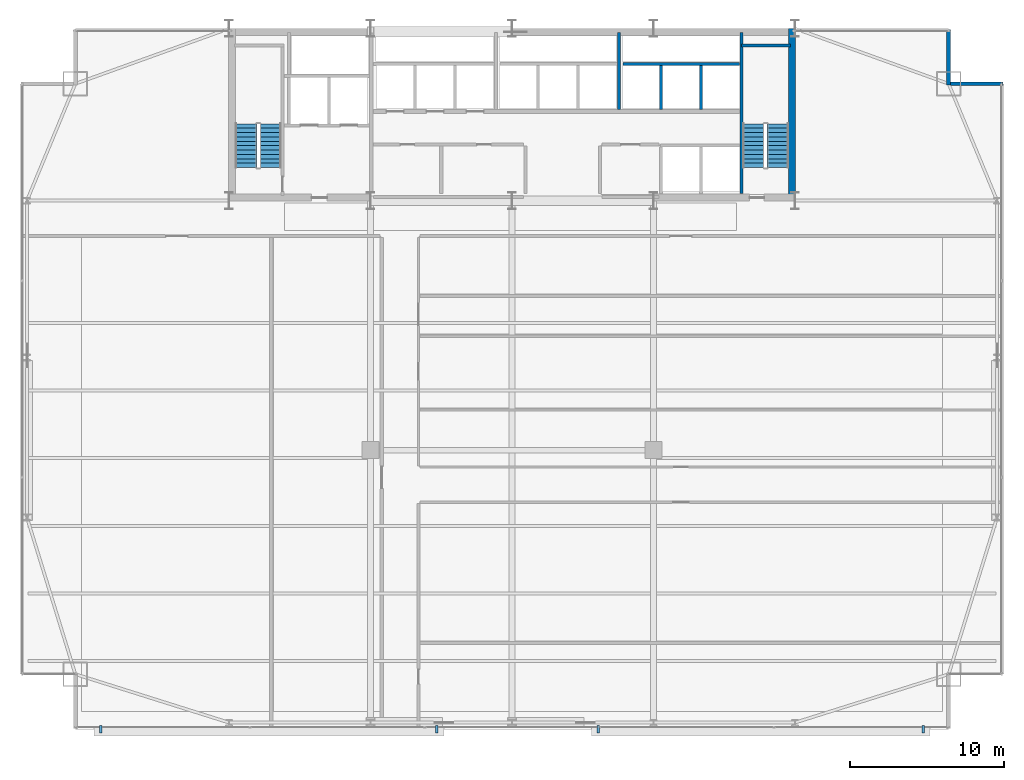
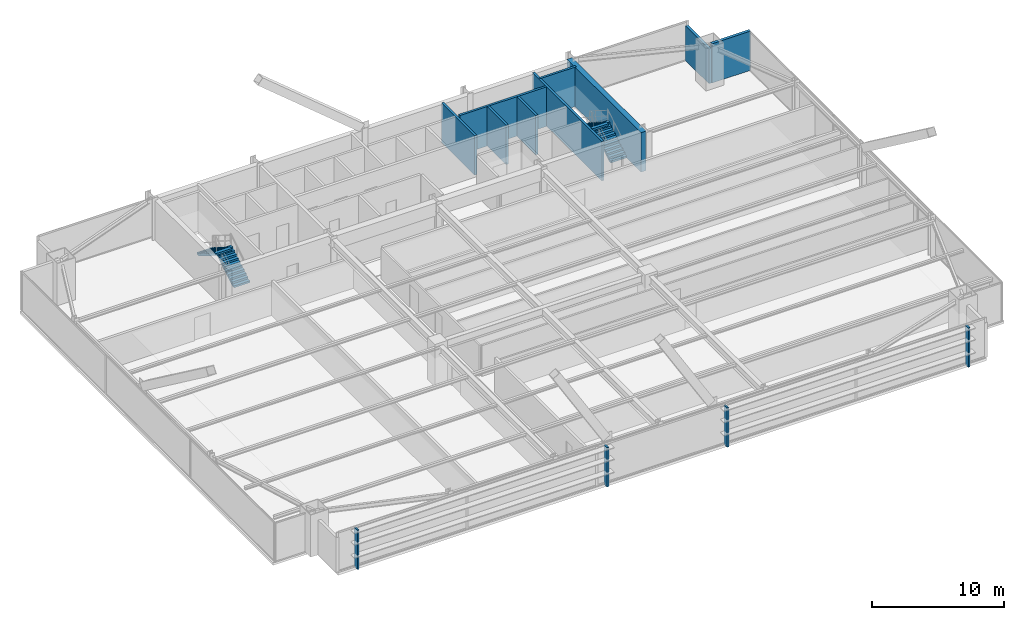
# One storey, part 33 of 35: 9 walls, 4 discrete accessories, 4 stair flights, 2 elements without a shape of their own.
"""IFC4 building model written with IfcOpenShell, lengths in metres."""

from ifc_helpers import new_model, si_unit, direction, frame, frame_2d, origin, origin_2d, place, context, subcontext, project, spatial, polyline, rectangle, outline, extrude, source, transform, mapped, material, layer, layer_set, type_object, type_shapes, element, aggregate, save


model = new_model("IFC4")

# Units and contexts
model_context = context("Model", 3, precision=1e-05, world=origin(), true_north=direction((0.0, 1.0)))
body_context = subcontext(model_context, "Body", "Model", "MODEL_VIEW")
ifc_project = project(units=[si_unit("LENGTHUNIT", "METRE"), si_unit("AREAUNIT", "SQUARE_METRE"), si_unit("VOLUMEUNIT", "CUBIC_METRE"), si_unit("PLANEANGLEUNIT", "RADIAN"), si_unit("MASSUNIT", "GRAM", prefix="KILO")], contexts=[model_context])

# Site, building, storey
site_placement = place(None, origin())
site = spatial("IfcSite", under=ifc_project, at=site_placement, CompositionType="ELEMENT")
building_placement = place(site_placement, origin())
building = spatial("IfcBuilding", under=site, at=building_placement, Name="Varnel Quay Broadcast Tower", CompositionType="ELEMENT")
storey_placement = place(building_placement, frame((0.0, 0.0, 31.5)))
storey = spatial("IfcBuildingStorey", under=building, at=storey_placement, Name="L06", CompositionType="ELEMENT", Elevation=31.5)

# Walls
ifc_material_1 = material(Name="Concrete CSA A23.3 C50/60", Category="concrete")
ifc_layer_1 = layer(ifc_material_1, 0.199951171875, Name="Concrete CSA A23.3 C50/60")
ifc_layer_set_1 = layer_set([ifc_layer_1], Name="Concrete CSA A23.3 C50/60")
wall_type_1 = type_object("IfcWallType", Name="Wall_CoreShaftShear200", PredefinedType="SHEAR", material=ifc_layer_set_1)
wall_1_placement = place(storey_placement, frame((48.919921875, 36.050048828125, 0.0), z_axis=(0.0, 0.0, 1.0), x_axis=(0.0, 1.0, 0.0)))
element("IfcWall", 1, at=wall_1_placement, inside=storey, type_object=wall_type_1, Name="L06 Stair 2 West Structural Wall", PredefinedType="SHEAR", context=body_context, shape_type="SweptSolid", body=[
    extrude(rectangle(XDim=10.5, YDim=0.199951171875, at=frame_2d((5.25, 0.0))), origin(), (0.0, 0.0, 1.0), 3.64990234375),
])
wall_2_placement = place(storey_placement, frame((48.919921875, 45.679931640625, 0.0), z_axis=(0.0, 0.0, 1.0), x_axis=(1.0, 0.0, 0.0)))
element("IfcWall", 2, at=wall_2_placement, inside=storey, type_object=wall_type_1, Name="L06 Stair 2 North Structural Wall", PredefinedType="SHEAR", context=body_context, shape_type="SweptSolid", body=[
    extrude(rectangle(XDim=3.18017578125, YDim=0.199951171875, at=frame_2d((1.590087890625, 0.0))), origin(), (0.0, 0.0, 1.0), 3.64990234375),
])
wall_3_placement = place(storey_placement, frame((40.949951171875, 41.530029296875, 0.0), z_axis=(0.0, 0.0, 1.0), x_axis=(0.0, 1.0, 0.0)))
element("IfcWall", 3, at=wall_3_placement, inside=storey, type_object=wall_type_1, Name="L06 Mid-Rise Lift Shaft Divider 4", PredefinedType="SHEAR", context=body_context, shape_type="SweptSolid", body=[
    extrude(rectangle(XDim=5.02001953125, YDim=0.199951171875, at=frame_2d((2.510009765625, 0.0))), origin(), (0.0, 0.0, 1.0), 3.64990234375),
])
wall_4_placement = place(storey_placement, frame((41.219970703125, 44.5, 0.0), z_axis=(0.0, 0.0, 1.0), x_axis=(1.0, 0.0, 0.0)))
element("IfcWall", 4, at=wall_4_placement, inside=storey, type_object=wall_type_1, Name="L06 High-Rise Lift Shaft Rear Wall", PredefinedType="SHEAR", context=body_context, shape_type="SweptSolid", body=[
    extrude(rectangle(XDim=7.580078125, YDim=0.199951171875, at=frame_2d((3.7900390625, 0.0))), origin(), (0.0, 0.0, 1.0), 3.64990234375),
])
for number, where, z_axis, x_axis, name in (
    (5, (43.699951171875, 41.530029296875, 0.0), (0.0, 0.0, 1.0), (0.0, 1.0, 0.0), "L06 High-Rise Lift Shaft Divider 2"),
    (6, (46.300048828125, 41.530029296875, 0.0), (0.0, 0.0, 1.0), (0.0, 1.0, 0.0), "L06 High-Rise Lift Shaft Divider 3"),
):
    element("IfcWall", number, at=place(storey_placement, frame(where, z_axis=z_axis, x_axis=x_axis)), inside=storey, type_object=wall_type_1, Name=name, PredefinedType="SHEAR", context=body_context, shape_type="SweptSolid", body=[
        extrude(rectangle(XDim=2.869873046875, YDim=0.199951171875, at=frame_2d((1.43505859375, 0.0))), origin(), (0.0, 0.0, 1.0), 3.64990234375),
    ])
ifc_material_2 = material(Name="Concrete CSA A23.3 C60/75", Category="concrete")
ifc_layer_2 = layer(ifc_material_2, 0.449951171875, Name="Concrete CSA A23.3 C60/75")
ifc_layer_set_2 = layer_set([ifc_layer_2], Name="Concrete CSA A23.3 C60/75")
wall_type_2 = type_object("IfcWallType", Name="Wall_CoreShearInt450", PredefinedType="SHEAR", material=ifc_layer_set_2)
wall_5_placement = place(storey_placement, frame((52.205078125, 35.570068359375, 0.0), z_axis=(0.0, 0.0, 1.0), x_axis=(0.0, 1.0, 0.0)))
element("IfcWall", 7, at=wall_5_placement, inside=storey, type_object=wall_type_2, Name="L06 East Core Shear Wall", PredefinedType="SHEAR", context=body_context, shape_type="SweptSolid", body=[
    extrude(rectangle(XDim=11.22998046875, YDim=0.449951171875, at=frame_2d((5.614990234375, 0.0))), origin(), (0.0, 0.0, 1.0), 3.64990234375),
])
ifc_material_3 = material(Name="Precast Architectural Concrete C40/50", Category="concrete")
ifc_layer_3 = layer(ifc_material_3, 0.25, Name="Precast Architectural Concrete C40/50")
ifc_layer_set_3 = layer_set([ifc_layer_3], Name="Precast Architectural Concrete C40/50")
wall_type_3 = type_object("IfcWallType", Name="Wall_ExtTerrace250", PredefinedType="SOLIDWALL", material=ifc_layer_set_3)
wall_6_placement = place(storey_placement, frame((62.530029296875, 43.199951171875, 0.0), z_axis=(0.0, 0.0, 1.0), x_axis=(1.0, 0.0, 0.0)))
element("IfcWall", 8, at=wall_6_placement, inside=storey, type_object=wall_type_3, Name="L06 Mega-Column Notch Cladding Wall NNE1", PredefinedType="SOLIDWALL", context=body_context, shape_type="SweptSolid", body=[
    extrude(rectangle(XDim=3.389892578125, YDim=0.25, at=frame_2d((1.69482421875, 0.0))), origin(), (0.0, 0.0, 1.0), 3.6298828125),
])
wall_7_placement = place(storey_placement, frame((62.39990234375, 43.1201171875, 0.0), z_axis=(0.0, 0.0, 1.0), x_axis=(0.0, 1.0, 0.0)))
element("IfcWall", 9, at=wall_7_placement, inside=storey, type_object=wall_type_3, Name="L06 Mega-Column Notch Cladding Wall NNE2", PredefinedType="SOLIDWALL", context=body_context, shape_type="SweptSolid", body=[
    extrude(rectangle(XDim=3.599853515625, YDim=0.25, at=frame_2d((1.7998046875, 0.0))), origin(), (0.0, 0.0, 1.0), 3.2080078125),
])

# Stair, stair flights
ifc_material_4 = material(Name="Precast Structural Concrete C40/50", Category="concrete")
stair_type_1 = type_object("IfcStairType", Name="Stair_ST-01", PredefinedType="HALF_TURN_STAIR", material=ifc_material_4)
stair_1_placement = place(storey_placement, origin())
stair_1 = element("IfcStair", 10, at=stair_1_placement, inside=storey, type_object=stair_type_1, Name="L06 West Core Exit Stair 1", PredefinedType="HALF_TURN_STAIR")
stair_flight_type_1 = type_object("IfcStairFlightType", Name="Flight_ST-01", PredefinedType="STRAIGHT", material=ifc_material_4)
stair_flight_1_placement = place(storey_placement, frame((18.300048828125, 37.75, 0.0), z_axis=(0.0, 0.0, 1.0), x_axis=(0.0, 1.0, 0.0)))
stair_flight_1 = element("IfcStairFlight", 11, at=stair_flight_1_placement, type_object=stair_flight_type_1, Name="ST-01 flight 1", NumberOfRisers=11, NumberOfTreads=10, PredefinedType="STRAIGHT", RiserHeight=0.177272727, TreadLength=0.285, context=body_context, shape_type="SweptSolid", body=[
    extrude(outline(polyline([(0.0, 0.0), (0.0, 0.17724609375), (0.284912109375, 0.17724609375), (0.284912109375, 0.3544921875), (0.570068359375, 0.3544921875), (0.570068359375, 0.53173828125), (0.85498046875, 0.53173828125), (0.85498046875, 0.708984375), (1.139892578125, 0.708984375), (1.139892578125, 0.886474609375), (1.425048828125, 0.886474609375), (1.425048828125, 1.063720703125), (1.7099609375, 1.063720703125), (1.7099609375, 1.240966796875), (1.9951171875, 1.240966796875), (1.9951171875, 1.418212890625), (2.280029296875, 1.418212890625), (2.280029296875, 1.595458984375), (2.56494140625, 1.595458984375), (2.56494140625, 1.772705078125), (2.85009765625, 1.772705078125), (2.85009765625, 1.949951171875), (2.85009765625, 1.59619140625), (0.283935546875, 0.0), (0.0, 0.0)])), frame((0.0, 0.699951171875, 0.0), z_axis=(0.0, -1.0, 0.0), x_axis=(1.0, 0.0, 0.0)), (0.0, 0.0, 1.0), 1.39990234375),
])
stair_flight_2_placement = place(storey_placement, frame((16.699951171875, 40.60009765625, 1.949951171875), z_axis=(0.0, 0.0, 1.0), x_axis=(0.0, -1.0, 0.0)))
stair_flight_2 = element("IfcStairFlight", 12, at=stair_flight_2_placement, type_object=stair_flight_type_1, Name="ST-01 flight 2", NumberOfRisers=11, NumberOfTreads=10, PredefinedType="STRAIGHT", RiserHeight=0.177272727, TreadLength=0.285, context=body_context, shape_type="SweptSolid", body=[
    extrude(outline(polyline([(0.0, 0.0), (0.0, 0.17724609375), (0.284912109375, 0.17724609375), (0.284912109375, 0.3544921875), (0.570068359375, 0.3544921875), (0.570068359375, 0.53173828125), (0.85498046875, 0.53173828125), (0.85498046875, 0.708984375), (1.139892578125, 0.708984375), (1.139892578125, 0.886474609375), (1.425048828125, 0.886474609375), (1.425048828125, 1.063720703125), (1.7099609375, 1.063720703125), (1.7099609375, 1.240966796875), (1.9951171875, 1.240966796875), (1.9951171875, 1.418212890625), (2.280029296875, 1.418212890625), (2.280029296875, 1.595458984375), (2.56494140625, 1.595458984375), (2.56494140625, 1.772705078125), (2.85009765625, 1.772705078125), (2.85009765625, 1.949951171875), (2.85009765625, 1.59619140625), (0.283935546875, 0.0), (0.0, 0.0)])), frame((0.0, 0.699951171875, 0.0), z_axis=(0.0, -1.0, 0.0), x_axis=(1.0, 0.0, 0.0)), (0.0, 0.0, 1.0), 1.39990234375),
])
aggregate(stair_1, [stair_flight_1, stair_flight_2])

stair_type_2 = type_object("IfcStairType", Name="Stair_ST-02", PredefinedType="HALF_TURN_STAIR", material=ifc_material_4)
stair_2_placement = place(storey_placement, origin())
stair_2 = element("IfcStair", 13, at=stair_2_placement, inside=storey, type_object=stair_type_2, Name="L06 East Core Exit Stair 2", PredefinedType="HALF_TURN_STAIR")
stair_flight_type_2 = type_object("IfcStairFlightType", Name="Flight_ST-02", PredefinedType="STRAIGHT", material=ifc_material_4)
stair_flight_3_placement = place(storey_placement, frame((51.300048828125, 37.75, 0.0), z_axis=(0.0, 0.0, 1.0), x_axis=(0.0, 1.0, 0.0)))
stair_flight_3 = element("IfcStairFlight", 14, at=stair_flight_3_placement, type_object=stair_flight_type_2, Name="ST-02 flight 1", NumberOfRisers=11, NumberOfTreads=10, PredefinedType="STRAIGHT", RiserHeight=0.177272727, TreadLength=0.285, context=body_context, shape_type="SweptSolid", body=[
    extrude(outline(polyline([(0.0, 0.0), (0.0, 0.17724609375), (0.284912109375, 0.17724609375), (0.284912109375, 0.3544921875), (0.570068359375, 0.3544921875), (0.570068359375, 0.53173828125), (0.85498046875, 0.53173828125), (0.85498046875, 0.708984375), (1.139892578125, 0.708984375), (1.139892578125, 0.886474609375), (1.425048828125, 0.886474609375), (1.425048828125, 1.063720703125), (1.7099609375, 1.063720703125), (1.7099609375, 1.240966796875), (1.9951171875, 1.240966796875), (1.9951171875, 1.418212890625), (2.280029296875, 1.418212890625), (2.280029296875, 1.595458984375), (2.56494140625, 1.595458984375), (2.56494140625, 1.772705078125), (2.85009765625, 1.772705078125), (2.85009765625, 1.949951171875), (2.85009765625, 1.59619140625), (0.283935546875, 0.0), (0.0, 0.0)])), frame((0.0, 0.699951171875, 0.0), z_axis=(0.0, -1.0, 0.0), x_axis=(1.0, 0.0, 0.0)), (0.0, 0.0, 1.0), 1.39990234375),
])
stair_flight_4_placement = place(storey_placement, frame((49.699951171875, 40.60009765625, 1.949951171875), z_axis=(0.0, 0.0, 1.0), x_axis=(0.0, -1.0, 0.0)))
stair_flight_4 = element("IfcStairFlight", 15, at=stair_flight_4_placement, type_object=stair_flight_type_2, Name="ST-02 flight 2", NumberOfRisers=11, NumberOfTreads=10, PredefinedType="STRAIGHT", RiserHeight=0.177272727, TreadLength=0.285, context=body_context, shape_type="SweptSolid", body=[
    extrude(outline(polyline([(0.0, 0.0), (0.0, 0.17724609375), (0.284912109375, 0.17724609375), (0.284912109375, 0.3544921875), (0.570068359375, 0.3544921875), (0.570068359375, 0.53173828125), (0.85498046875, 0.53173828125), (0.85498046875, 0.708984375), (1.139892578125, 0.708984375), (1.139892578125, 0.886474609375), (1.425048828125, 0.886474609375), (1.425048828125, 1.063720703125), (1.7099609375, 1.063720703125), (1.7099609375, 1.240966796875), (1.9951171875, 1.240966796875), (1.9951171875, 1.418212890625), (2.280029296875, 1.418212890625), (2.280029296875, 1.595458984375), (2.56494140625, 1.595458984375), (2.56494140625, 1.772705078125), (2.85009765625, 1.772705078125), (2.85009765625, 1.949951171875), (2.85009765625, 1.59619140625), (0.283935546875, 0.0), (0.0, 0.0)])), frame((0.0, 0.699951171875, 0.0), z_axis=(0.0, -1.0, 0.0), x_axis=(1.0, 0.0, 0.0)), (0.0, 0.0, 1.0), 1.39990234375),
])
aggregate(stair_2, [stair_flight_3, stair_flight_4])

# Discrete accessories
ifc_material_5 = material(Name="Anodised Bronze Aluminium 6063-T6", Category="aluminium")
ifc_layer_4 = layer(ifc_material_5, 0.47998046875, Name="Anodised Bronze Aluminium 6063-T6")
ifc_layer_set_4 = layer_set([ifc_layer_4], Name="Anodised Bronze Aluminium 6063-T6")
discrete_accessory_type = type_object("IfcDiscreteAccessoryType", Name="Acc_FacadeBracket", PredefinedType="BRACKET", material=ifc_layer_set_4)
shared_shape = source(origin(), body_context, "Body", "SweptSolid", [
    extrude(rectangle(XDim=0.159912109375, YDim=0.47998046875, at=origin_2d()), origin(), (0.0, 0.0, 1.0), 3.64990234375),
])
type_shapes(discrete_accessory_type, [shared_shape])
for number, where, z_axis, x_axis, name in (
    (16, (7.25, 1.219970703125, -0.14990234375), (0.0, 0.0, 1.0), (1.0, 0.0, 0.0), "L06 Lobe 1 Louvre Support Bracket 1"),
    (17, (29.115966796875, 1.219970703125, -0.14990234375), (0.0, 0.0, 1.0), (1.0, 0.0, 0.0), "L06 Lobe 1 Louvre Support Bracket 2"),
    (18, (39.615966796875, 1.219970703125, -0.14990234375), (0.0, 0.0, 1.0), (1.0, 0.0, 0.0), "L06 Lobe 2 Louvre Support Bracket 1"),
    (19, (60.75, 1.219970703125, -0.14990234375), (0.0, 0.0, 1.0), (1.0, 0.0, 0.0), "L06 Lobe 2 Louvre Support Bracket 2"),
):
    element("IfcDiscreteAccessory", number, at=place(storey_placement, frame(where, z_axis=z_axis, x_axis=x_axis)), inside=storey, type_object=discrete_accessory_type, Name=name, PredefinedType="BRACKET", context=body_context, shape_type="MappedRepresentation", body=[
        mapped(shared_shape, transform((0.0, 0.0, 0.0), x_axis=(1.0, 0.0, 0.0), y_axis=(0.0, 1.0, 0.0), z_axis=(0.0, 0.0, 1.0), scale=1.0)),
    ])

save(model, "model.ifc")
